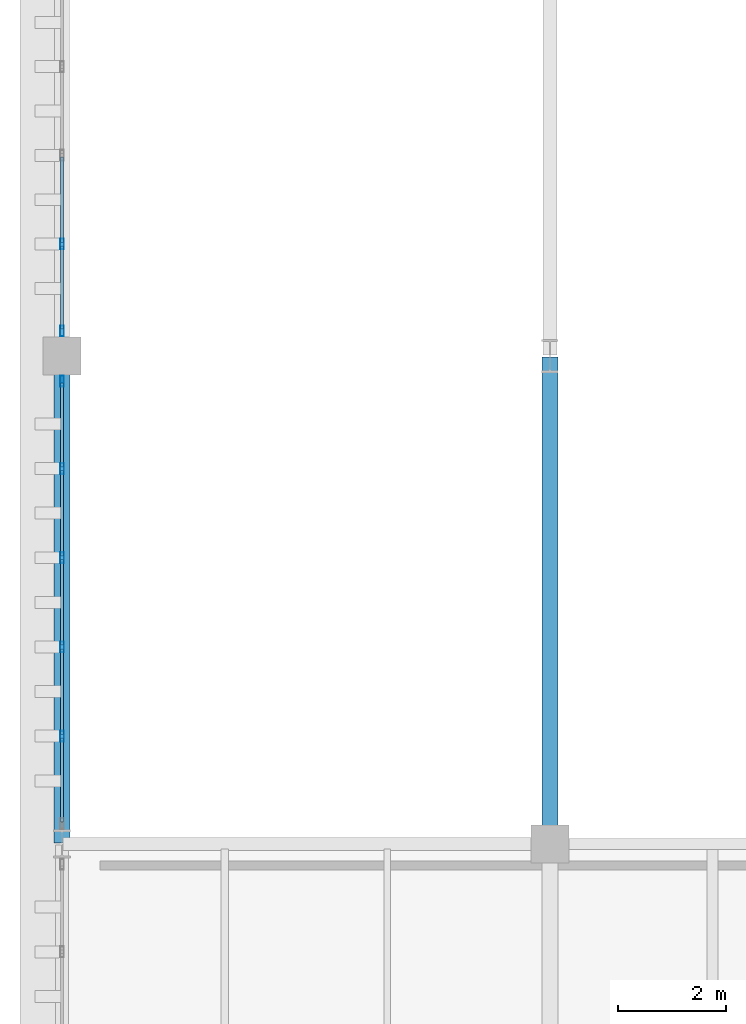
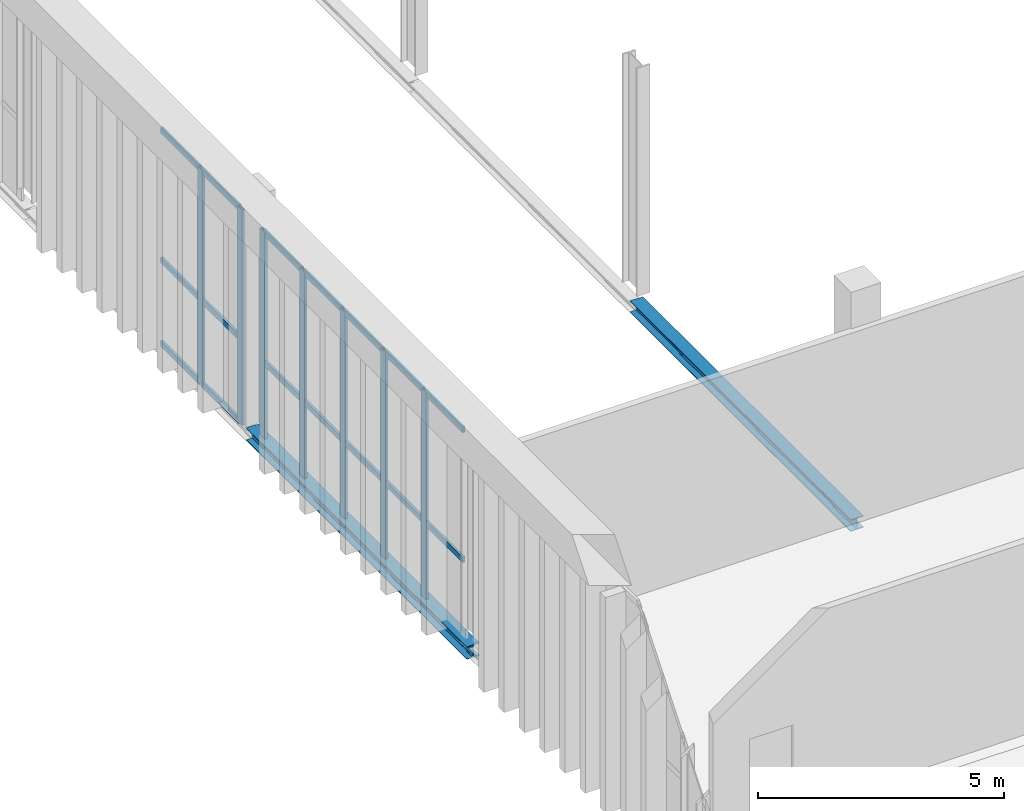
# One storey, part 89 of 237: 28 members, 2 beams, 2 elements without a shape of their own.
"""IFC4 building model written with IfcOpenShell, lengths in metres."""

from ifc_helpers import new_model, si_unit, direction, frame, origin, origin_2d, place, context, subcontext, project, spatial, hollow_rectangle, i_section, extrude, material, layer, layer_set, material_profile, profile_set, type_object, element, aggregate, save


model = new_model("IFC4")

# Units and contexts
model_context = context("Model", 3, precision=1e-05, world=origin(), true_north=direction((0.0, 1.0)))
body_context = subcontext(model_context, "Body", "Model", "MODEL_VIEW")
ifc_project = project(units=[si_unit("LENGTHUNIT", "METRE"), si_unit("AREAUNIT", "SQUARE_METRE"), si_unit("VOLUMEUNIT", "CUBIC_METRE"), si_unit("PLANEANGLEUNIT", "RADIAN"), si_unit("MASSUNIT", "GRAM", prefix="KILO")], contexts=[model_context])

# Site, building, storey
site_placement = place(None, origin())
site = spatial("IfcSite", under=ifc_project, at=site_placement, CompositionType="ELEMENT")
building_placement = place(site_placement, origin())
building = spatial("IfcBuilding", under=site, at=building_placement, Name="Barlavento Convention Centre", CompositionType="ELEMENT")
storey_placement = place(building_placement, frame((0.0, 0.0, 12.0)))
storey = spatial("IfcBuildingStorey", under=building, at=storey_placement, Name="L02", CompositionType="ELEMENT", Elevation=12.0)

# Curtain wall, members
ifc_material_1 = material(Name="Powder-coated aluminium and Low-E glass", Category="aluminium")
ifc_layer = layer(ifc_material_1, 0.18505859375)
ifc_layer_set = layer_set([ifc_layer], Name="ARC-CW-EXH-L02")
curtain_wall_type = type_object("IfcCurtainWallType", Name="ARC-CW-EXH-L02", PredefinedType="NOTDEFINED", material=ifc_layer_set)
curtain_wall_1_placement = place(storey_placement, origin())
curtain_wall_1 = element("IfcCurtainWall", 1, at=curtain_wall_1_placement, inside=storey, type_object=curtain_wall_type, Name="L02 unitised curtain wall CW05", PredefinedType="NOTDEFINED")
ifc_material_2 = material(Name="Powder-coated aluminium", Category="aluminium")
ifc_material_profile_1 = material_profile(ifc_material_2, hollow_rectangle(XDim=0.06494140625, YDim=0.199951171875, WallThickness=0.0048828125, at=origin_2d()), Name="AL-MULL 65x200x5")
ifc_profile_set_1 = profile_set([ifc_material_profile_1], Name="Powder-coated aluminium")
member_type_1 = type_object("IfcMemberType", Name="ARC-CWM-65X200", PredefinedType="MULLION", material=ifc_profile_set_1)
member_1_placement = place(storey_placement, frame((0.0, 64.987548828125, -0.5), z_axis=(0.0, 0.0, 1.0), x_axis=(-1.0, 0.0, 0.0)))
member_1 = element("IfcMember", 2, at=member_1_placement, type_object=member_type_1, Name="CW05 mullion 2", PredefinedType="MULLION", context=body_context, shape_type="SweptSolid", body=[
    extrude(hollow_rectangle(XDim=0.06494140625, YDim=0.199951171875, WallThickness=0.0048828125, at=origin_2d()), origin(), (0.0, 0.0, 1.0), 5.35009765625),
])
member_2_placement = place(storey_placement, frame((0.0, 66.63330078125, -0.5), z_axis=(0.0, 0.0, 1.0), x_axis=(-1.0, 0.0, 0.0)))
member_2 = element("IfcMember", 3, at=member_2_placement, type_object=member_type_1, Name="CW05 mullion 3", PredefinedType="MULLION", context=body_context, shape_type="SweptSolid", body=[
    extrude(hollow_rectangle(XDim=0.06494140625, YDim=0.199951171875, WallThickness=0.0048828125, at=origin_2d()), origin(), (0.0, 0.0, 1.0), 5.35009765625),
])
member_3_placement = place(storey_placement, frame((0.0, 68.27880859375, -0.5), z_axis=(0.0, 0.0, 1.0), x_axis=(-1.0, 0.0, 0.0)))
member_3 = element("IfcMember", 4, at=member_3_placement, type_object=member_type_1, Name="CW05 mullion 4", PredefinedType="MULLION", context=body_context, shape_type="SweptSolid", body=[
    extrude(hollow_rectangle(XDim=0.06494140625, YDim=0.199951171875, WallThickness=0.0048828125, at=origin_2d()), origin(), (0.0, 0.0, 1.0), 5.35009765625),
])
member_4_placement = place(storey_placement, frame((0.0, 69.92431640625, -0.5), z_axis=(0.0, 0.0, 1.0), x_axis=(-1.0, 0.0, 0.0)))
member_4 = element("IfcMember", 5, at=member_4_placement, type_object=member_type_1, Name="CW05 mullion 5", PredefinedType="MULLION", context=body_context, shape_type="SweptSolid", body=[
    extrude(hollow_rectangle(XDim=0.06494140625, YDim=0.199951171875, WallThickness=0.0048828125, at=origin_2d()), origin(), (0.0, 0.0, 1.0), 5.35009765625),
])
member_5_placement = place(storey_placement, frame((0.0, 71.53759765625, -0.5), z_axis=(0.0, 0.0, 1.0), x_axis=(-1.0, 0.0, 0.0)))
member_5 = element("IfcMember", 6, at=member_5_placement, type_object=member_type_1, Name="CW05 mullion 6", PredefinedType="MULLION", context=body_context, shape_type="SweptSolid", body=[
    extrude(hollow_rectangle(XDim=0.06494140625, YDim=0.199951171875, WallThickness=0.0048828125, at=origin_2d()), origin(), (0.0, 0.0, 1.0), 5.35009765625),
])

curtain_wall_2_placement = place(storey_placement, origin())
curtain_wall_2 = element("IfcCurtainWall", 7, at=curtain_wall_2_placement, inside=storey, type_object=curtain_wall_type, Name="L02 unitised curtain wall CW05", PredefinedType="NOTDEFINED")
member_6_placement = place(storey_placement, frame((0.0, 72.46240234375, -0.5), z_axis=(0.0, 0.0, 1.0), x_axis=(-1.0, 0.0, 0.0)))
member_6 = element("IfcMember", 8, at=member_6_placement, type_object=member_type_1, Name="CW05 mullion 1", PredefinedType="MULLION", context=body_context, shape_type="SweptSolid", body=[
    extrude(hollow_rectangle(XDim=0.06494140625, YDim=0.199951171875, WallThickness=0.0048828125, at=origin_2d()), origin(), (0.0, 0.0, 1.0), 5.35009765625),
])
member_7_placement = place(storey_placement, frame((0.0, 74.06591796875, -0.5), z_axis=(0.0, 0.0, 1.0), x_axis=(-1.0, 0.0, 0.0)))
member_7 = element("IfcMember", 9, at=member_7_placement, type_object=member_type_1, Name="CW05 mullion 2", PredefinedType="MULLION", context=body_context, shape_type="SweptSolid", body=[
    extrude(hollow_rectangle(XDim=0.06494140625, YDim=0.199951171875, WallThickness=0.0048828125, at=origin_2d()), origin(), (0.0, 0.0, 1.0), 5.35009765625),
])

# Member
ifc_material_profile_2 = material_profile(ifc_material_2, hollow_rectangle(XDim=0.06005859375, YDim=0.139892578125, WallThickness=0.00390625, at=origin_2d()), Name="AL-TRAN 60x140x4")
ifc_profile_set_2 = profile_set([ifc_material_profile_2], Name="Powder-coated aluminium")
member_type_2 = type_object("IfcMemberType", Name="ARC-CWT-60X140", PredefinedType="USERDEFINED", material=ifc_profile_set_2)
member_8_placement = place(storey_placement, frame((0.0, 63.406982421875, -0.469970703125), z_axis=(0.0, 1.0, 0.0), x_axis=(-1.0, 0.0, 0.0)))
member_8 = element("IfcMember", 10, at=member_8_placement, type_object=member_type_2, Name="CW05 transom 1.1", ObjectType="TRANSOM", PredefinedType="USERDEFINED", context=body_context, shape_type="SweptSolid", body=[
    extrude(hollow_rectangle(XDim=0.06005859375, YDim=0.139892578125, WallThickness=0.00390625, at=origin_2d()), origin(), (0.0, 0.0, 1.0), 1.548095703125),
])

member_9_placement = place(storey_placement, frame((0.0, 63.406982421875, 1.60009765625), z_axis=(0.0, 1.0, 0.0), x_axis=(-1.0, 0.0, 0.0)))
member_9 = element("IfcMember", 11, at=member_9_placement, type_object=member_type_2, Name="CW05 transom 1.2", ObjectType="TRANSOM", PredefinedType="USERDEFINED", context=body_context, shape_type="SweptSolid", body=[
    extrude(hollow_rectangle(XDim=0.06005859375, YDim=0.139892578125, WallThickness=0.00390625, at=origin_2d()), origin(), (0.0, 0.0, 1.0), 1.548095703125),
])

member_10_placement = place(storey_placement, frame((0.0, 63.406982421875, 4.820068359375), z_axis=(0.0, 1.0, 0.0), x_axis=(-1.0, 0.0, 0.0)))
member_10 = element("IfcMember", 12, at=member_10_placement, type_object=member_type_2, Name="CW05 transom 1.3", ObjectType="TRANSOM", PredefinedType="USERDEFINED", context=body_context, shape_type="SweptSolid", body=[
    extrude(hollow_rectangle(XDim=0.06005859375, YDim=0.139892578125, WallThickness=0.00390625, at=origin_2d()), origin(), (0.0, 0.0, 1.0), 1.548095703125),
])

member_11_placement = place(storey_placement, frame((0.0, 65.02001953125, -0.469970703125), z_axis=(0.0, 1.0, 0.0), x_axis=(-1.0, 0.0, 0.0)))
member_11 = element("IfcMember", 13, at=member_11_placement, type_object=member_type_2, Name="CW05 transom 2.1", ObjectType="TRANSOM", PredefinedType="USERDEFINED", context=body_context, shape_type="SweptSolid", body=[
    extrude(hollow_rectangle(XDim=0.06005859375, YDim=0.139892578125, WallThickness=0.00390625, at=origin_2d()), origin(), (0.0, 0.0, 1.0), 1.58056640625),
])

member_12_placement = place(storey_placement, frame((0.0, 65.02001953125, 1.60009765625), z_axis=(0.0, 1.0, 0.0), x_axis=(-1.0, 0.0, 0.0)))
member_12 = element("IfcMember", 14, at=member_12_placement, type_object=member_type_2, Name="CW05 transom 2.2", ObjectType="TRANSOM", PredefinedType="USERDEFINED", context=body_context, shape_type="SweptSolid", body=[
    extrude(hollow_rectangle(XDim=0.06005859375, YDim=0.139892578125, WallThickness=0.00390625, at=origin_2d()), origin(), (0.0, 0.0, 1.0), 1.58056640625),
])

member_13_placement = place(storey_placement, frame((0.0, 65.02001953125, 4.820068359375), z_axis=(0.0, 1.0, 0.0), x_axis=(-1.0, 0.0, 0.0)))
member_13 = element("IfcMember", 15, at=member_13_placement, type_object=member_type_2, Name="CW05 transom 2.3", ObjectType="TRANSOM", PredefinedType="USERDEFINED", context=body_context, shape_type="SweptSolid", body=[
    extrude(hollow_rectangle(XDim=0.06005859375, YDim=0.139892578125, WallThickness=0.00390625, at=origin_2d()), origin(), (0.0, 0.0, 1.0), 1.58056640625),
])

member_14_placement = place(storey_placement, frame((0.0, 66.665771484375, -0.469970703125), z_axis=(0.0, 1.0, 0.0), x_axis=(-1.0, 0.0, 0.0)))
member_14 = element("IfcMember", 16, at=member_14_placement, type_object=member_type_2, Name="CW05 transom 3.1", ObjectType="TRANSOM", PredefinedType="USERDEFINED", context=body_context, shape_type="SweptSolid", body=[
    extrude(hollow_rectangle(XDim=0.06005859375, YDim=0.139892578125, WallThickness=0.00390625, at=origin_2d()), origin(), (0.0, 0.0, 1.0), 1.58056640625),
])

member_15_placement = place(storey_placement, frame((0.0, 66.665771484375, 1.60009765625), z_axis=(0.0, 1.0, 0.0), x_axis=(-1.0, 0.0, 0.0)))
member_15 = element("IfcMember", 17, at=member_15_placement, type_object=member_type_2, Name="CW05 transom 3.2", ObjectType="TRANSOM", PredefinedType="USERDEFINED", context=body_context, shape_type="SweptSolid", body=[
    extrude(hollow_rectangle(XDim=0.06005859375, YDim=0.139892578125, WallThickness=0.00390625, at=origin_2d()), origin(), (0.0, 0.0, 1.0), 1.58056640625),
])

member_16_placement = place(storey_placement, frame((0.0, 66.665771484375, 4.820068359375), z_axis=(0.0, 1.0, 0.0), x_axis=(-1.0, 0.0, 0.0)))
member_16 = element("IfcMember", 18, at=member_16_placement, type_object=member_type_2, Name="CW05 transom 3.3", ObjectType="TRANSOM", PredefinedType="USERDEFINED", context=body_context, shape_type="SweptSolid", body=[
    extrude(hollow_rectangle(XDim=0.06005859375, YDim=0.139892578125, WallThickness=0.00390625, at=origin_2d()), origin(), (0.0, 0.0, 1.0), 1.58056640625),
])

member_17_placement = place(storey_placement, frame((0.0, 68.311279296875, -0.469970703125), z_axis=(0.0, 1.0, 0.0), x_axis=(-1.0, 0.0, 0.0)))
member_17 = element("IfcMember", 19, at=member_17_placement, type_object=member_type_2, Name="CW05 transom 4.1", ObjectType="TRANSOM", PredefinedType="USERDEFINED", context=body_context, shape_type="SweptSolid", body=[
    extrude(hollow_rectangle(XDim=0.06005859375, YDim=0.139892578125, WallThickness=0.00390625, at=origin_2d()), origin(), (0.0, 0.0, 1.0), 1.58056640625),
])

member_18_placement = place(storey_placement, frame((0.0, 68.311279296875, 1.60009765625), z_axis=(0.0, 1.0, 0.0), x_axis=(-1.0, 0.0, 0.0)))
member_18 = element("IfcMember", 20, at=member_18_placement, type_object=member_type_2, Name="CW05 transom 4.2", ObjectType="TRANSOM", PredefinedType="USERDEFINED", context=body_context, shape_type="SweptSolid", body=[
    extrude(hollow_rectangle(XDim=0.06005859375, YDim=0.139892578125, WallThickness=0.00390625, at=origin_2d()), origin(), (0.0, 0.0, 1.0), 1.58056640625),
])

member_19_placement = place(storey_placement, frame((0.0, 68.311279296875, 4.820068359375), z_axis=(0.0, 1.0, 0.0), x_axis=(-1.0, 0.0, 0.0)))
member_19 = element("IfcMember", 21, at=member_19_placement, type_object=member_type_2, Name="CW05 transom 4.3", ObjectType="TRANSOM", PredefinedType="USERDEFINED", context=body_context, shape_type="SweptSolid", body=[
    extrude(hollow_rectangle(XDim=0.06005859375, YDim=0.139892578125, WallThickness=0.00390625, at=origin_2d()), origin(), (0.0, 0.0, 1.0), 1.58056640625),
])

member_20_placement = place(storey_placement, frame((0.0, 69.956787109375, -0.469970703125), z_axis=(0.0, 1.0, 0.0), x_axis=(-1.0, 0.0, 0.0)))
member_20 = element("IfcMember", 22, at=member_20_placement, type_object=member_type_2, Name="CW05 transom 5.1", ObjectType="TRANSOM", PredefinedType="USERDEFINED", context=body_context, shape_type="SweptSolid", body=[
    extrude(hollow_rectangle(XDim=0.06005859375, YDim=0.139892578125, WallThickness=0.00390625, at=origin_2d()), origin(), (0.0, 0.0, 1.0), 1.548095703125),
])

member_21_placement = place(storey_placement, frame((0.0, 69.956787109375, 1.60009765625), z_axis=(0.0, 1.0, 0.0), x_axis=(-1.0, 0.0, 0.0)))
member_21 = element("IfcMember", 23, at=member_21_placement, type_object=member_type_2, Name="CW05 transom 5.2", ObjectType="TRANSOM", PredefinedType="USERDEFINED", context=body_context, shape_type="SweptSolid", body=[
    extrude(hollow_rectangle(XDim=0.06005859375, YDim=0.139892578125, WallThickness=0.00390625, at=origin_2d()), origin(), (0.0, 0.0, 1.0), 1.548095703125),
])

member_22_placement = place(storey_placement, frame((0.0, 69.956787109375, 4.820068359375), z_axis=(0.0, 1.0, 0.0), x_axis=(-1.0, 0.0, 0.0)))
member_22 = element("IfcMember", 24, at=member_22_placement, type_object=member_type_2, Name="CW05 transom 5.3", ObjectType="TRANSOM", PredefinedType="USERDEFINED", context=body_context, shape_type="SweptSolid", body=[
    extrude(hollow_rectangle(XDim=0.06005859375, YDim=0.139892578125, WallThickness=0.00390625, at=origin_2d()), origin(), (0.0, 0.0, 1.0), 1.548095703125),
])

aggregate(curtain_wall_1, [member_1, member_2, member_3, member_4, member_5, member_8, member_9, member_10, member_11, member_12, member_13, member_14, member_15, member_16, member_17, member_18, member_19, member_20, member_21, member_22])

member_23_placement = place(storey_placement, frame((0.0, 72.4951171875, -0.469970703125), z_axis=(0.0, 1.0, 0.0), x_axis=(-1.0, 0.0, 0.0)))
member_23 = element("IfcMember", 25, at=member_23_placement, type_object=member_type_2, Name="CW05 transom 1.1", ObjectType="TRANSOM", PredefinedType="USERDEFINED", context=body_context, shape_type="SweptSolid", body=[
    extrude(hollow_rectangle(XDim=0.06005859375, YDim=0.139892578125, WallThickness=0.00390625, at=origin_2d()), origin(), (0.0, 0.0, 1.0), 1.538330078125),
])

member_24_placement = place(storey_placement, frame((0.0, 72.4951171875, 1.60009765625), z_axis=(0.0, 1.0, 0.0), x_axis=(-1.0, 0.0, 0.0)))
member_24 = element("IfcMember", 26, at=member_24_placement, type_object=member_type_2, Name="CW05 transom 1.2", ObjectType="TRANSOM", PredefinedType="USERDEFINED", context=body_context, shape_type="SweptSolid", body=[
    extrude(hollow_rectangle(XDim=0.06005859375, YDim=0.139892578125, WallThickness=0.00390625, at=origin_2d()), origin(), (0.0, 0.0, 1.0), 1.538330078125),
])

member_25_placement = place(storey_placement, frame((0.0, 72.4951171875, 4.820068359375), z_axis=(0.0, 1.0, 0.0), x_axis=(-1.0, 0.0, 0.0)))
member_25 = element("IfcMember", 27, at=member_25_placement, type_object=member_type_2, Name="CW05 transom 1.3", ObjectType="TRANSOM", PredefinedType="USERDEFINED", context=body_context, shape_type="SweptSolid", body=[
    extrude(hollow_rectangle(XDim=0.06005859375, YDim=0.139892578125, WallThickness=0.00390625, at=origin_2d()), origin(), (0.0, 0.0, 1.0), 1.538330078125),
])

member_26_placement = place(storey_placement, frame((0.0, 74.098388671875, -0.469970703125), z_axis=(0.0, 1.0, 0.0), x_axis=(-1.0, 0.0, 0.0)))
member_26 = element("IfcMember", 28, at=member_26_placement, type_object=member_type_2, Name="CW05 transom 2.1", ObjectType="TRANSOM", PredefinedType="USERDEFINED", context=body_context, shape_type="SweptSolid", body=[
    extrude(hollow_rectangle(XDim=0.06005859375, YDim=0.139892578125, WallThickness=0.00390625, at=origin_2d()), origin(), (0.0, 0.0, 1.0), 1.571044921875),
])

member_27_placement = place(storey_placement, frame((0.0, 74.098388671875, 1.60009765625), z_axis=(0.0, 1.0, 0.0), x_axis=(-1.0, 0.0, 0.0)))
member_27 = element("IfcMember", 29, at=member_27_placement, type_object=member_type_2, Name="CW05 transom 2.2", ObjectType="TRANSOM", PredefinedType="USERDEFINED", context=body_context, shape_type="SweptSolid", body=[
    extrude(hollow_rectangle(XDim=0.06005859375, YDim=0.139892578125, WallThickness=0.00390625, at=origin_2d()), origin(), (0.0, 0.0, 1.0), 1.571044921875),
])

member_28_placement = place(storey_placement, frame((0.0, 74.098388671875, 4.820068359375), z_axis=(0.0, 1.0, 0.0), x_axis=(-1.0, 0.0, 0.0)))
member_28 = element("IfcMember", 30, at=member_28_placement, type_object=member_type_2, Name="CW05 transom 2.3", ObjectType="TRANSOM", PredefinedType="USERDEFINED", context=body_context, shape_type="SweptSolid", body=[
    extrude(hollow_rectangle(XDim=0.06005859375, YDim=0.139892578125, WallThickness=0.00390625, at=origin_2d()), origin(), (0.0, 0.0, 1.0), 1.571044921875),
])

aggregate(curtain_wall_2, [member_6, member_7, member_23, member_24, member_25, member_26, member_27, member_28])

# Beams
ifc_material_3 = material(Name="Steel S355", Category="steel")
ifc_material_profile_3 = material_profile(ifc_material_3, i_section(OverallWidth=0.300048828125, OverallDepth=0.2900390625, WebThickness=0.008544921875, FlangeThickness=0.013916015625, FilletRadius=0.027099609375, at=origin_2d()), Name="HEA 300")
ifc_profile_set_3 = profile_set([ifc_material_profile_3], Name="Steel S355")
beam_type_1 = type_object("IfcBeamType", Name="STR-BM-SPN-HEA300", PredefinedType="SPANDREL", material=ifc_profile_set_3)
beam_1_placement = place(storey_placement, frame((9.0, 63.02001953125, -0.425048828125), z_axis=(0.0, 1.0, 0.0), x_axis=(-1.0, 0.0, 0.0)))
element("IfcBeam", 31, at=beam_1_placement, inside=storey, type_object=beam_type_1, Name="L02 grid girder SP02", PredefinedType="SPANDREL", context=body_context, shape_type="SweptSolid", body=[
    extrude(i_section(OverallWidth=0.300048828125, OverallDepth=0.2900390625, WebThickness=0.008544921875, FlangeThickness=0.013916015625, FilletRadius=0.027099609375, at=origin_2d()), origin(), (0.0, 0.0, 1.0), 8.9599609375),
])
ifc_material_profile_4 = material_profile(ifc_material_3, i_section(OverallWidth=0.300048828125, OverallDepth=0.31005859375, WebThickness=0.009033203125, FlangeThickness=0.015380859375, FilletRadius=0.027099609375, at=origin_2d()), Name="HEA 320")
ifc_profile_set_4 = profile_set([ifc_material_profile_4], Name="Steel S355")
beam_type_2 = type_object("IfcBeamType", Name="STR-BM-SPN-HEA320", PredefinedType="SPANDREL", material=ifc_profile_set_4)
beam_2_placement = place(storey_placement, frame((0.0, 63.02001953125, -0.43505859375), z_axis=(0.0, 1.0, 0.0), x_axis=(-1.0, 0.0, 0.0)))
element("IfcBeam", 32, at=beam_2_placement, inside=storey, type_object=beam_type_2, Name="L02 grid girder SP01", PredefinedType="SPANDREL", context=body_context, shape_type="SweptSolid", body=[
    extrude(i_section(OverallWidth=0.300048828125, OverallDepth=0.31005859375, WebThickness=0.009033203125, FlangeThickness=0.015380859375, FilletRadius=0.027099609375, at=origin_2d()), origin(), (0.0, 0.0, 1.0), 8.9599609375),
])

save(model, "model.ifc")
